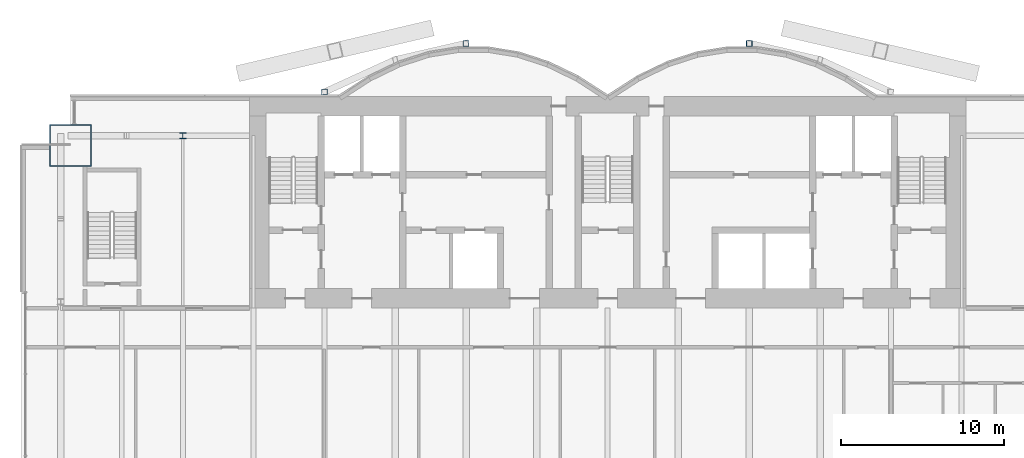
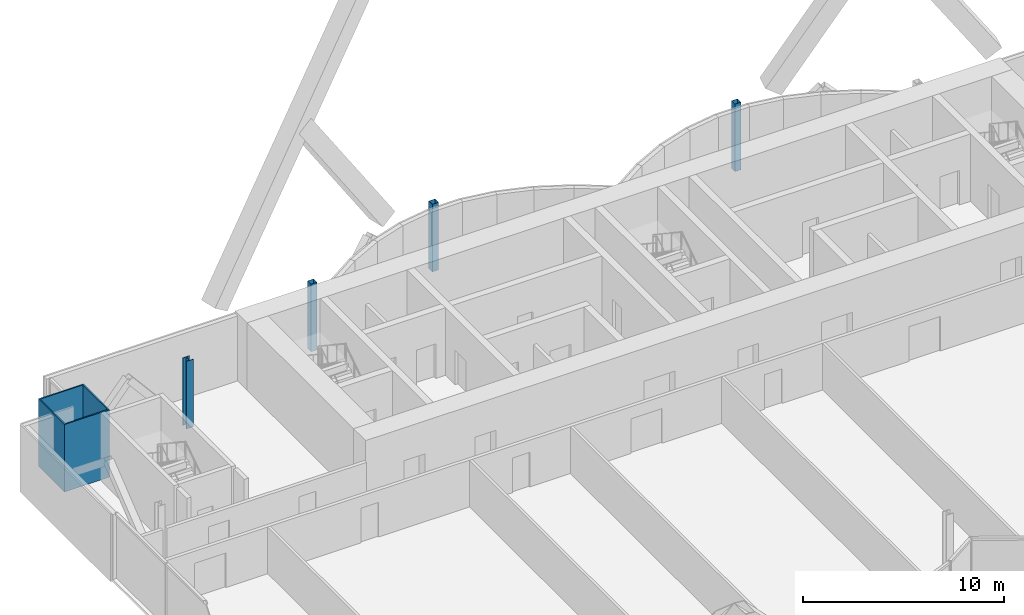
# One storey, part 3 of 23: 5 columns.
"""IFC4 building model written with IfcOpenShell, lengths in metres."""

from ifc_helpers import new_model, si_unit, direction, frame, origin, origin_2d, place, context, subcontext, project, spatial, hollow_rectangle, i_section, extrude, material, material_profile, profile_set, type_object, element, save


model = new_model("IFC4")

# Units and contexts
model_context = context("Model", 3, precision=1e-05, world=origin(), true_north=direction((0.0, 1.0)))
body_context = subcontext(model_context, "Body", "Model", "MODEL_VIEW")
ifc_project = project(units=[si_unit("LENGTHUNIT", "METRE"), si_unit("AREAUNIT", "SQUARE_METRE"), si_unit("VOLUMEUNIT", "CUBIC_METRE"), si_unit("PLANEANGLEUNIT", "RADIAN"), si_unit("MASSUNIT", "GRAM", prefix="KILO")], contexts=[model_context])

# Site, building, storey
site_placement = place(None, origin())
site = spatial("IfcSite", under=ifc_project, at=site_placement, CompositionType="ELEMENT")
building_placement = place(site_placement, origin())
building = spatial("IfcBuilding", under=site, at=building_placement, Name="Bicima Exchange Tower", CompositionType="ELEMENT")
storey_placement = place(building_placement, frame((0.0, 0.0, 152.699951171875)))
storey = spatial("IfcBuildingStorey", under=building, at=storey_placement, Name="L33", CompositionType="ELEMENT", Elevation=152.699951171875)

# Columns
ifc_material_1 = material(Name="Steel ASTM A572 Gr 50", Category="steel")
ifc_material_profile_1 = material_profile(ifc_material_1, hollow_rectangle(XDim=2.60009765625, YDim=2.60009765625, WallThickness=0.080078125, at=origin_2d()))
ifc_profile_set_1 = profile_set([ifc_material_profile_1], Name="Steel ASTM A572 Gr 50")
column_type_1 = type_object("IfcColumnType", Name="Mega column BOX 2600x2600x80", PredefinedType="COLUMN", material=ifc_profile_set_1)
column_1_placement = place(storey_placement, frame((-33.0, -3.0, 0.0), z_axis=(0.0, 0.0, 1.0), x_axis=(1.0, 0.0, 0.0)))
element("IfcColumn", 1, at=column_1_placement, inside=storey, type_object=column_type_1, Name="Mega column mega-33.0r", PredefinedType="COLUMN", context=body_context, shape_type="SweptSolid", body=[
    extrude(hollow_rectangle(XDim=2.60009765625, YDim=2.60009765625, WallThickness=0.080078125, at=origin_2d()), origin(), (0.0, 0.0, 1.0), 4.10009765625),
])
ifc_material_2 = material(Name="Steel ASTM A992 Gr 50", Category="steel")
ifc_material_profile_2 = material_profile(ifc_material_2, i_section(OverallWidth=0.396240234375, OverallDepth=0.381103515625, WebThickness=0.01904296875, FlangeThickness=0.0302734375, at=origin_2d()))
ifc_profile_set_2 = profile_set([ifc_material_profile_2], Name="Steel ASTM A992 Gr 50")
column_type_2 = type_object("IfcColumnType", Name="Perimeter column W14x159", PredefinedType="COLUMN", material=ifc_profile_set_2)
column_2_placement = place(storey_placement, frame((-26.10009765625, -2.39990234375, 0.0), z_axis=(0.0, 0.0, 1.0), x_axis=(1.0, 0.0, 0.0)))
element("IfcColumn", 2, at=column_2_placement, inside=storey, type_object=column_type_2, Name="Perimeter column grav-26.1r", PredefinedType="COLUMN", context=body_context, shape_type="SweptSolid", body=[
    extrude(i_section(OverallWidth=0.396240234375, OverallDepth=0.381103515625, WebThickness=0.01904296875, FlangeThickness=0.0302734375, at=origin_2d()), origin(), (0.0, 0.0, 1.0), 4.10009765625),
])
ifc_material_profile_3 = material_profile(ifc_material_1, hollow_rectangle(XDim=0.355712890625, YDim=0.355712890625, WallThickness=0.01171875, at=origin_2d()))
ifc_profile_set_3 = profile_set([ifc_material_profile_3], Name="Steel ASTM A572 Gr 50")
column_type_3 = type_object("IfcColumnType", Name="Rear pilaster HSS14x14x1/2", PredefinedType="COLUMN", material=ifc_profile_set_3)
for number, where, z_axis, x_axis, name in (
    (3, (-8.699951171875, 3.26904296875, 0.0), (0.0, 0.0, 1.0), (1.0, 0.0, 0.0), "Rear pilaster rexo-8.7r"),
    (4, (-17.39990234375, 0.278076171875, 0.0), (0.0, 0.0, 1.0), (1.0, 0.0, 0.0), "Rear pilaster rexo-17.4r"),
    (5, (8.699951171875, 3.26904296875, 0.0), (0.0, 0.0, 1.0), (1.0, 0.0, 0.0), "Rear pilaster rexo+8.7r"),
):
    element("IfcColumn", number, at=place(storey_placement, frame(where, z_axis=z_axis, x_axis=x_axis)), inside=storey, type_object=column_type_3, Name=name, PredefinedType="COLUMN", context=body_context, shape_type="SweptSolid", body=[
        extrude(hollow_rectangle(XDim=0.355712890625, YDim=0.355712890625, WallThickness=0.01171875, at=origin_2d()), origin(), (0.0, 0.0, 1.0), 4.10009765625),
    ])

save(model, "model.ifc")
